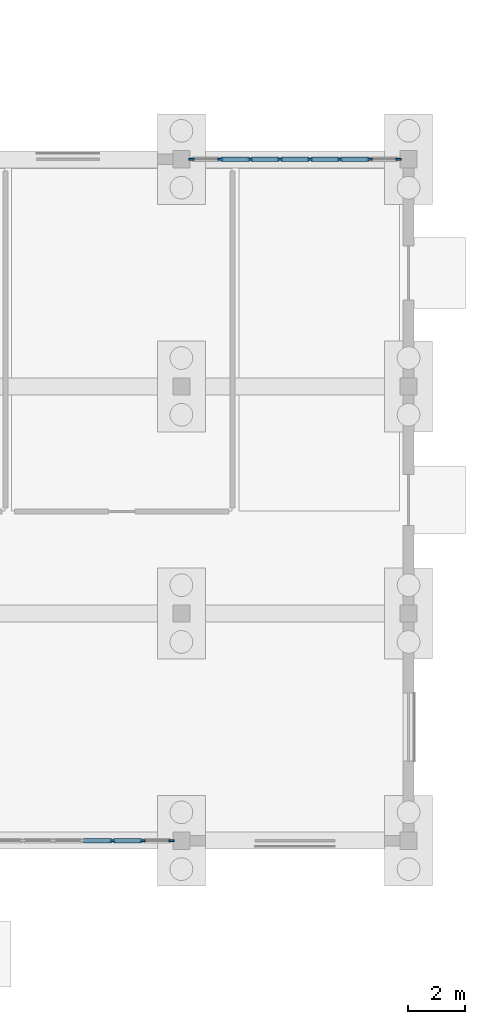
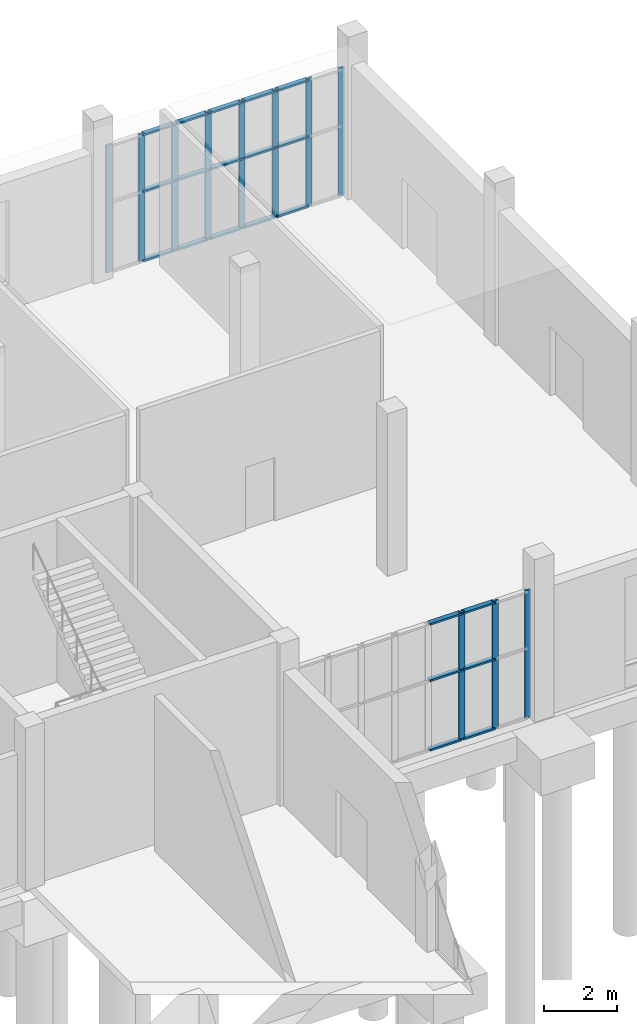
# One storey, part 18 of 69: 32 members, 2 elements without a shape of their own.
"""IFC4 building model written with IfcOpenShell, lengths in metres."""

from ifc_helpers import new_model, si_unit, direction, frame, origin, origin_2d, place, context, subcontext, project, spatial, rectangle, extrude, material, layer, layer_set, material_profile, profile_set, type_object, element, aggregate, save


model = new_model("IFC4")

# Units and contexts
model_context = context("Model", 3, precision=1e-05, world=origin(), true_north=direction((0.0, 1.0)))
body_context = subcontext(model_context, "Body", "Model", "MODEL_VIEW")
ifc_project = project(units=[si_unit("LENGTHUNIT", "METRE"), si_unit("AREAUNIT", "SQUARE_METRE"), si_unit("VOLUMEUNIT", "CUBIC_METRE"), si_unit("PLANEANGLEUNIT", "RADIAN"), si_unit("MASSUNIT", "GRAM", prefix="KILO")], contexts=[model_context])

# Site, building, storey
site_placement = place(None, origin())
site = spatial("IfcSite", under=ifc_project, at=site_placement, CompositionType="ELEMENT")
building_placement = place(site_placement, origin())
building = spatial("IfcBuilding", under=site, at=building_placement, Name="Solvane Community Centre", CompositionType="ELEMENT")
storey_placement = place(building_placement, origin())
storey = spatial("IfcBuildingStorey", under=building, at=storey_placement, Name="L00", CompositionType="ELEMENT", Elevation=0.0)

# Curtain wall, members
ifc_material = material(Name="Anodised bronze aluminium AW-6063 T6", Category="aluminium")
ifc_layer = layer(ifc_material, 0.18994140625)
ifc_layer_set = layer_set([ifc_layer], Name="Anodised bronze aluminium AW-6063 T6")
curtain_wall_type = type_object("IfcCurtainWallType", Name="Boulevard Bronze Vision Curtain Wall [74x42dm]", PredefinedType="NOTDEFINED", material=ifc_layer_set)
curtain_wall_1_placement = place(storey_placement, origin())
curtain_wall_1 = element("IfcCurtainWall", 1, at=curtain_wall_1_placement, inside=storey, type_object=curtain_wall_type, Name="Curtain Wall CW-L00-763_1100-013", PredefinedType="NOTDEFINED")
ifc_material_profile_1 = material_profile(ifc_material, rectangle(XDim=0.06005859375, YDim=0.18994140625, at=origin_2d()), Name="CW-M 60x190")
ifc_profile_set_1 = profile_set([ifc_material_profile_1], Name="Anodised bronze aluminium AW-6063 T6")
member_type_1 = type_object("IfcMemberType", Name="Boulevard Mullion 60x190", PredefinedType="MULLION", material=ifc_profile_set_1)
member_1_placement = place(storey_placement, frame((76.35009765625, 110.0, 0.0), z_axis=(0.0, 0.0, 1.0), x_axis=(0.0, 1.0, 0.0)))
member_1 = element("IfcMember", 2, at=member_1_placement, type_object=member_type_1, Name="CW02-74x42 mullion 1", PredefinedType="MULLION", context=body_context, shape_type="SweptSolid", body=[
    extrude(rectangle(XDim=0.06005859375, YDim=0.18994140625, at=origin_2d()), origin(), (0.0, 0.0, 1.0), 4.2451171875),
])
member_2_placement = place(storey_placement, frame((77.371337890625, 110.0, 0.0), z_axis=(0.0, 0.0, 1.0), x_axis=(0.0, 1.0, 0.0)))
member_2 = element("IfcMember", 3, at=member_2_placement, type_object=member_type_1, Name="CW02-74x42 mullion 2", PredefinedType="MULLION", context=body_context, shape_type="SweptSolid", body=[
    extrude(rectangle(XDim=0.06005859375, YDim=0.18994140625, at=origin_2d()), origin(), (0.0, 0.0, 1.0), 4.2451171875),
])
member_3_placement = place(storey_placement, frame((78.4228515625, 110.0, 0.0), z_axis=(0.0, 0.0, 1.0), x_axis=(0.0, 1.0, 0.0)))
member_3 = element("IfcMember", 4, at=member_3_placement, type_object=member_type_1, Name="CW02-74x42 mullion 3", PredefinedType="MULLION", context=body_context, shape_type="SweptSolid", body=[
    extrude(rectangle(XDim=0.06005859375, YDim=0.18994140625, at=origin_2d()), origin(), (0.0, 0.0, 1.0), 4.2451171875),
])
member_4_placement = place(storey_placement, frame((79.474365234375, 110.0, 0.0), z_axis=(0.0, 0.0, 1.0), x_axis=(0.0, 1.0, 0.0)))
member_4 = element("IfcMember", 5, at=member_4_placement, type_object=member_type_1, Name="CW02-74x42 mullion 4", PredefinedType="MULLION", context=body_context, shape_type="SweptSolid", body=[
    extrude(rectangle(XDim=0.06005859375, YDim=0.18994140625, at=origin_2d()), origin(), (0.0, 0.0, 1.0), 4.2451171875),
])
member_5_placement = place(storey_placement, frame((80.525634765625, 110.0, 0.0), z_axis=(0.0, 0.0, 1.0), x_axis=(0.0, 1.0, 0.0)))
member_5 = element("IfcMember", 6, at=member_5_placement, type_object=member_type_1, Name="CW02-74x42 mullion 5", PredefinedType="MULLION", context=body_context, shape_type="SweptSolid", body=[
    extrude(rectangle(XDim=0.06005859375, YDim=0.18994140625, at=origin_2d()), origin(), (0.0, 0.0, 1.0), 4.2451171875),
])
member_6_placement = place(storey_placement, frame((81.5771484375, 110.0, 0.0), z_axis=(0.0, 0.0, 1.0), x_axis=(0.0, 1.0, 0.0)))
member_6 = element("IfcMember", 7, at=member_6_placement, type_object=member_type_1, Name="CW02-74x42 mullion 6", PredefinedType="MULLION", context=body_context, shape_type="SweptSolid", body=[
    extrude(rectangle(XDim=0.06005859375, YDim=0.18994140625, at=origin_2d()), origin(), (0.0, 0.0, 1.0), 4.2451171875),
])
member_7_placement = place(storey_placement, frame((82.628662109375, 110.0, 0.0), z_axis=(0.0, 0.0, 1.0), x_axis=(0.0, 1.0, 0.0)))
member_7 = element("IfcMember", 8, at=member_7_placement, type_object=member_type_1, Name="CW02-74x42 mullion 7", PredefinedType="MULLION", context=body_context, shape_type="SweptSolid", body=[
    extrude(rectangle(XDim=0.06005859375, YDim=0.18994140625, at=origin_2d()), origin(), (0.0, 0.0, 1.0), 4.2451171875),
])
member_8_placement = place(storey_placement, frame((83.64990234375, 110.0, 0.0), z_axis=(0.0, 0.0, 1.0), x_axis=(0.0, 1.0, 0.0)))
member_8 = element("IfcMember", 9, at=member_8_placement, type_object=member_type_1, Name="CW02-74x42 mullion 8", PredefinedType="MULLION", context=body_context, shape_type="SweptSolid", body=[
    extrude(rectangle(XDim=0.06005859375, YDim=0.18994140625, at=origin_2d()), origin(), (0.0, 0.0, 1.0), 4.2451171875),
])

curtain_wall_2_placement = place(storey_placement, origin())
curtain_wall_2 = element("IfcCurtainWall", 10, at=curtain_wall_2_placement, inside=storey, type_object=curtain_wall_type, Name="Curtain Wall CW-L00-757_860-014", PredefinedType="NOTDEFINED")
member_9_placement = place(storey_placement, frame((75.64990234375, 86.0, 0.0), z_axis=(0.0, 0.0, 1.0), x_axis=(0.0, -1.0, 0.0)))
member_9 = element("IfcMember", 11, at=member_9_placement, type_object=member_type_1, Name="CW02-74x42 mullion 1", PredefinedType="MULLION", context=body_context, shape_type="SweptSolid", body=[
    extrude(rectangle(XDim=0.06005859375, YDim=0.18994140625, at=origin_2d()), origin(), (0.0, 0.0, 1.0), 4.2451171875),
])
member_10_placement = place(storey_placement, frame((74.6279296875, 86.0, 0.0), z_axis=(0.0, 0.0, 1.0), x_axis=(0.0, -1.0, 0.0)))
member_10 = element("IfcMember", 12, at=member_10_placement, type_object=member_type_1, Name="CW02-74x42 mullion 2", PredefinedType="MULLION", context=body_context, shape_type="SweptSolid", body=[
    extrude(rectangle(XDim=0.06005859375, YDim=0.18994140625, at=origin_2d()), origin(), (0.0, 0.0, 1.0), 4.2451171875),
])
member_11_placement = place(storey_placement, frame((73.57568359375, 86.0, 0.0), z_axis=(0.0, 0.0, 1.0), x_axis=(0.0, -1.0, 0.0)))
member_11 = element("IfcMember", 13, at=member_11_placement, type_object=member_type_1, Name="CW02-74x42 mullion 3", PredefinedType="MULLION", context=body_context, shape_type="SweptSolid", body=[
    extrude(rectangle(XDim=0.06005859375, YDim=0.18994140625, at=origin_2d()), origin(), (0.0, 0.0, 1.0), 4.2451171875),
])

# Member
ifc_material_profile_2 = material_profile(ifc_material, rectangle(XDim=0.14990234375, YDim=0.06005859375, at=origin_2d()), Name="CW-T 60x150")
ifc_profile_set_2 = profile_set([ifc_material_profile_2], Name="Anodised bronze aluminium AW-6063 T6")
member_type_2 = type_object("IfcMemberType", Name="Boulevard Transom 60x150", PredefinedType="USERDEFINED", material=ifc_profile_set_2)
member_12_placement = place(storey_placement, frame((77.4013671875, 110.0, 0.030029296875), z_axis=(1.0, 0.0, 0.0), x_axis=(0.0, 1.0, 0.0)))
member_12 = element("IfcMember", 14, at=member_12_placement, type_object=member_type_2, Name="CW02-74x42 transom 2.1", ObjectType="TRANSOM", PredefinedType="USERDEFINED", context=body_context, shape_type="SweptSolid", body=[
    extrude(rectangle(XDim=0.14990234375, YDim=0.06005859375, at=origin_2d()), origin(), (0.0, 0.0, 1.0), 0.991455078125),
])

member_13_placement = place(storey_placement, frame((77.4013671875, 110.0, 2.3349609375), z_axis=(1.0, 0.0, 0.0), x_axis=(0.0, 1.0, 0.0)))
member_13 = element("IfcMember", 15, at=member_13_placement, type_object=member_type_2, Name="CW02-74x42 transom 2.2", ObjectType="TRANSOM", PredefinedType="USERDEFINED", context=body_context, shape_type="SweptSolid", body=[
    extrude(rectangle(XDim=0.14990234375, YDim=0.06005859375, at=origin_2d()), origin(), (0.0, 0.0, 1.0), 0.991455078125),
])

member_14_placement = place(storey_placement, frame((77.4013671875, 110.0, 4.215087890625), z_axis=(1.0, 0.0, 0.0), x_axis=(0.0, 1.0, 0.0)))
member_14 = element("IfcMember", 16, at=member_14_placement, type_object=member_type_2, Name="CW02-74x42 transom 2.3", ObjectType="TRANSOM", PredefinedType="USERDEFINED", context=body_context, shape_type="SweptSolid", body=[
    extrude(rectangle(XDim=0.14990234375, YDim=0.06005859375, at=origin_2d()), origin(), (0.0, 0.0, 1.0), 0.991455078125),
])

member_15_placement = place(storey_placement, frame((78.452880859375, 110.0, 0.030029296875), z_axis=(1.0, 0.0, 0.0), x_axis=(0.0, 1.0, 0.0)))
member_15 = element("IfcMember", 17, at=member_15_placement, type_object=member_type_2, Name="CW02-74x42 transom 3.1", ObjectType="TRANSOM", PredefinedType="USERDEFINED", context=body_context, shape_type="SweptSolid", body=[
    extrude(rectangle(XDim=0.14990234375, YDim=0.06005859375, at=origin_2d()), origin(), (0.0, 0.0, 1.0), 0.991455078125),
])

member_16_placement = place(storey_placement, frame((78.452880859375, 110.0, 2.3349609375), z_axis=(1.0, 0.0, 0.0), x_axis=(0.0, 1.0, 0.0)))
member_16 = element("IfcMember", 18, at=member_16_placement, type_object=member_type_2, Name="CW02-74x42 transom 3.2", ObjectType="TRANSOM", PredefinedType="USERDEFINED", context=body_context, shape_type="SweptSolid", body=[
    extrude(rectangle(XDim=0.14990234375, YDim=0.06005859375, at=origin_2d()), origin(), (0.0, 0.0, 1.0), 0.991455078125),
])

member_17_placement = place(storey_placement, frame((78.452880859375, 110.0, 4.215087890625), z_axis=(1.0, 0.0, 0.0), x_axis=(0.0, 1.0, 0.0)))
member_17 = element("IfcMember", 19, at=member_17_placement, type_object=member_type_2, Name="CW02-74x42 transom 3.3", ObjectType="TRANSOM", PredefinedType="USERDEFINED", context=body_context, shape_type="SweptSolid", body=[
    extrude(rectangle(XDim=0.14990234375, YDim=0.06005859375, at=origin_2d()), origin(), (0.0, 0.0, 1.0), 0.991455078125),
])

member_18_placement = place(storey_placement, frame((79.50439453125, 110.0, 0.030029296875), z_axis=(1.0, 0.0, 0.0), x_axis=(0.0, 1.0, 0.0)))
member_18 = element("IfcMember", 20, at=member_18_placement, type_object=member_type_2, Name="CW02-74x42 transom 4.1", ObjectType="TRANSOM", PredefinedType="USERDEFINED", context=body_context, shape_type="SweptSolid", body=[
    extrude(rectangle(XDim=0.14990234375, YDim=0.06005859375, at=origin_2d()), origin(), (0.0, 0.0, 1.0), 0.9912109375),
])

member_19_placement = place(storey_placement, frame((79.50439453125, 110.0, 2.3349609375), z_axis=(1.0, 0.0, 0.0), x_axis=(0.0, 1.0, 0.0)))
member_19 = element("IfcMember", 21, at=member_19_placement, type_object=member_type_2, Name="CW02-74x42 transom 4.2", ObjectType="TRANSOM", PredefinedType="USERDEFINED", context=body_context, shape_type="SweptSolid", body=[
    extrude(rectangle(XDim=0.14990234375, YDim=0.06005859375, at=origin_2d()), origin(), (0.0, 0.0, 1.0), 0.9912109375),
])

member_20_placement = place(storey_placement, frame((79.50439453125, 110.0, 4.215087890625), z_axis=(1.0, 0.0, 0.0), x_axis=(0.0, 1.0, 0.0)))
member_20 = element("IfcMember", 22, at=member_20_placement, type_object=member_type_2, Name="CW02-74x42 transom 4.3", ObjectType="TRANSOM", PredefinedType="USERDEFINED", context=body_context, shape_type="SweptSolid", body=[
    extrude(rectangle(XDim=0.14990234375, YDim=0.06005859375, at=origin_2d()), origin(), (0.0, 0.0, 1.0), 0.9912109375),
])

member_21_placement = place(storey_placement, frame((80.5556640625, 110.0, 0.030029296875), z_axis=(1.0, 0.0, 0.0), x_axis=(0.0, 1.0, 0.0)))
member_21 = element("IfcMember", 23, at=member_21_placement, type_object=member_type_2, Name="CW02-74x42 transom 5.1", ObjectType="TRANSOM", PredefinedType="USERDEFINED", context=body_context, shape_type="SweptSolid", body=[
    extrude(rectangle(XDim=0.14990234375, YDim=0.06005859375, at=origin_2d()), origin(), (0.0, 0.0, 1.0), 0.991455078125),
])

member_22_placement = place(storey_placement, frame((80.5556640625, 110.0, 2.3349609375), z_axis=(1.0, 0.0, 0.0), x_axis=(0.0, 1.0, 0.0)))
member_22 = element("IfcMember", 24, at=member_22_placement, type_object=member_type_2, Name="CW02-74x42 transom 5.2", ObjectType="TRANSOM", PredefinedType="USERDEFINED", context=body_context, shape_type="SweptSolid", body=[
    extrude(rectangle(XDim=0.14990234375, YDim=0.06005859375, at=origin_2d()), origin(), (0.0, 0.0, 1.0), 0.991455078125),
])

member_23_placement = place(storey_placement, frame((80.5556640625, 110.0, 4.215087890625), z_axis=(1.0, 0.0, 0.0), x_axis=(0.0, 1.0, 0.0)))
member_23 = element("IfcMember", 25, at=member_23_placement, type_object=member_type_2, Name="CW02-74x42 transom 5.3", ObjectType="TRANSOM", PredefinedType="USERDEFINED", context=body_context, shape_type="SweptSolid", body=[
    extrude(rectangle(XDim=0.14990234375, YDim=0.06005859375, at=origin_2d()), origin(), (0.0, 0.0, 1.0), 0.991455078125),
])

member_24_placement = place(storey_placement, frame((81.607177734375, 110.0, 0.030029296875), z_axis=(1.0, 0.0, 0.0), x_axis=(0.0, 1.0, 0.0)))
member_24 = element("IfcMember", 26, at=member_24_placement, type_object=member_type_2, Name="CW02-74x42 transom 6.1", ObjectType="TRANSOM", PredefinedType="USERDEFINED", context=body_context, shape_type="SweptSolid", body=[
    extrude(rectangle(XDim=0.14990234375, YDim=0.06005859375, at=origin_2d()), origin(), (0.0, 0.0, 1.0), 0.991455078125),
])

member_25_placement = place(storey_placement, frame((81.607177734375, 110.0, 2.3349609375), z_axis=(1.0, 0.0, 0.0), x_axis=(0.0, 1.0, 0.0)))
member_25 = element("IfcMember", 27, at=member_25_placement, type_object=member_type_2, Name="CW02-74x42 transom 6.2", ObjectType="TRANSOM", PredefinedType="USERDEFINED", context=body_context, shape_type="SweptSolid", body=[
    extrude(rectangle(XDim=0.14990234375, YDim=0.06005859375, at=origin_2d()), origin(), (0.0, 0.0, 1.0), 0.991455078125),
])

member_26_placement = place(storey_placement, frame((81.607177734375, 110.0, 4.215087890625), z_axis=(1.0, 0.0, 0.0), x_axis=(0.0, 1.0, 0.0)))
member_26 = element("IfcMember", 28, at=member_26_placement, type_object=member_type_2, Name="CW02-74x42 transom 6.3", ObjectType="TRANSOM", PredefinedType="USERDEFINED", context=body_context, shape_type="SweptSolid", body=[
    extrude(rectangle(XDim=0.14990234375, YDim=0.06005859375, at=origin_2d()), origin(), (0.0, 0.0, 1.0), 0.991455078125),
])

aggregate(curtain_wall_1, [member_1, member_2, member_3, member_4, member_5, member_6, member_7, member_8, member_12, member_13, member_14, member_15, member_16, member_17, member_18, member_19, member_20, member_21, member_22, member_23, member_24, member_25, member_26])

member_27_placement = place(storey_placement, frame((74.597900390625, 86.0, 0.030029296875), z_axis=(-1.0, 0.0, 0.0), x_axis=(0.0, -1.0, 0.0)))
member_27 = element("IfcMember", 29, at=member_27_placement, type_object=member_type_2, Name="CW02-74x42 transom 2.1", ObjectType="TRANSOM", PredefinedType="USERDEFINED", context=body_context, shape_type="SweptSolid", body=[
    extrude(rectangle(XDim=0.14990234375, YDim=0.06005859375, at=origin_2d()), origin(), (0.0, 0.0, 1.0), 0.9921875),
])

member_28_placement = place(storey_placement, frame((74.597900390625, 86.0, 2.3349609375), z_axis=(-1.0, 0.0, 0.0), x_axis=(0.0, -1.0, 0.0)))
member_28 = element("IfcMember", 30, at=member_28_placement, type_object=member_type_2, Name="CW02-74x42 transom 2.2", ObjectType="TRANSOM", PredefinedType="USERDEFINED", context=body_context, shape_type="SweptSolid", body=[
    extrude(rectangle(XDim=0.14990234375, YDim=0.06005859375, at=origin_2d()), origin(), (0.0, 0.0, 1.0), 0.9921875),
])

member_29_placement = place(storey_placement, frame((74.597900390625, 86.0, 4.215087890625), z_axis=(-1.0, 0.0, 0.0), x_axis=(0.0, -1.0, 0.0)))
member_29 = element("IfcMember", 31, at=member_29_placement, type_object=member_type_2, Name="CW02-74x42 transom 2.3", ObjectType="TRANSOM", PredefinedType="USERDEFINED", context=body_context, shape_type="SweptSolid", body=[
    extrude(rectangle(XDim=0.14990234375, YDim=0.06005859375, at=origin_2d()), origin(), (0.0, 0.0, 1.0), 0.9921875),
])

member_30_placement = place(storey_placement, frame((73.545654296875, 86.0, 0.030029296875), z_axis=(-1.0, 0.0, 0.0), x_axis=(0.0, -1.0, 0.0)))
member_30 = element("IfcMember", 32, at=member_30_placement, type_object=member_type_2, Name="CW02-74x42 transom 3.1", ObjectType="TRANSOM", PredefinedType="USERDEFINED", context=body_context, shape_type="SweptSolid", body=[
    extrude(rectangle(XDim=0.14990234375, YDim=0.06005859375, at=origin_2d()), origin(), (0.0, 0.0, 1.0), 0.9921875),
])

member_31_placement = place(storey_placement, frame((73.545654296875, 86.0, 2.3349609375), z_axis=(-1.0, 0.0, 0.0), x_axis=(0.0, -1.0, 0.0)))
member_31 = element("IfcMember", 33, at=member_31_placement, type_object=member_type_2, Name="CW02-74x42 transom 3.2", ObjectType="TRANSOM", PredefinedType="USERDEFINED", context=body_context, shape_type="SweptSolid", body=[
    extrude(rectangle(XDim=0.14990234375, YDim=0.06005859375, at=origin_2d()), origin(), (0.0, 0.0, 1.0), 0.9921875),
])

member_32_placement = place(storey_placement, frame((73.545654296875, 86.0, 4.215087890625), z_axis=(-1.0, 0.0, 0.0), x_axis=(0.0, -1.0, 0.0)))
member_32 = element("IfcMember", 34, at=member_32_placement, type_object=member_type_2, Name="CW02-74x42 transom 3.3", ObjectType="TRANSOM", PredefinedType="USERDEFINED", context=body_context, shape_type="SweptSolid", body=[
    extrude(rectangle(XDim=0.14990234375, YDim=0.06005859375, at=origin_2d()), origin(), (0.0, 0.0, 1.0), 0.9921875),
])

aggregate(curtain_wall_2, [member_9, member_10, member_11, member_27, member_28, member_29, member_30, member_31, member_32])

save(model, "model.ifc")
